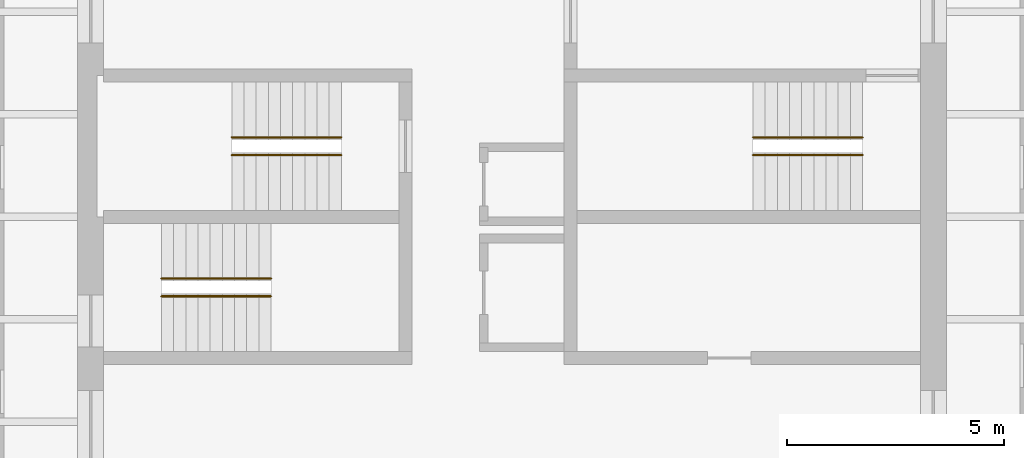
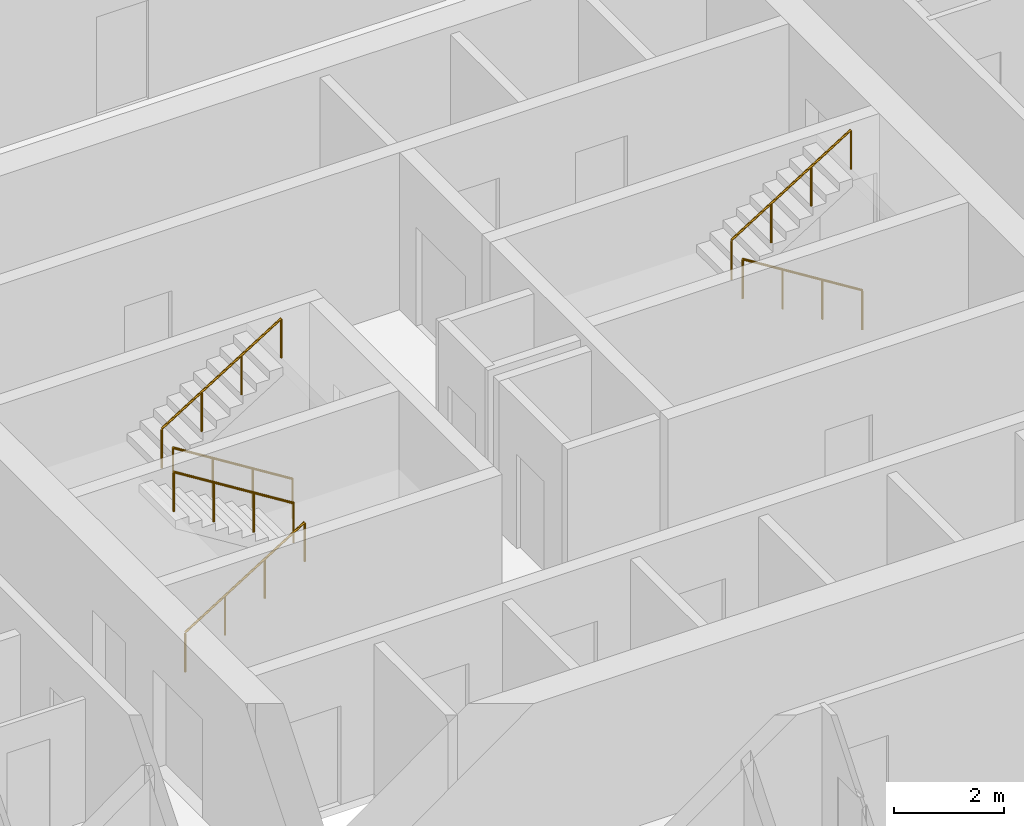
# One storey, part 8 of 8: 6 railings.
"""IFC4 building model written with IfcOpenShell, lengths in metres."""

from ifc_helpers import new_model, si_unit, direction, frame, origin, origin_2d, place, context, subcontext, project, spatial, circle, extrude, material, type_object, element, save


model = new_model("IFC4")

# Units and contexts
model_context = context("Model", 3, precision=1e-05, world=origin(), true_north=direction((0.0, 1.0)))
body_context = subcontext(model_context, "Body", "Model", "MODEL_VIEW")
ifc_project = project(units=[si_unit("LENGTHUNIT", "METRE"), si_unit("AREAUNIT", "SQUARE_METRE"), si_unit("VOLUMEUNIT", "CUBIC_METRE"), si_unit("PLANEANGLEUNIT", "RADIAN"), si_unit("MASSUNIT", "GRAM", prefix="KILO")], contexts=[model_context])

# Site, building, storey
site_placement = place(None, origin())
site = spatial("IfcSite", under=ifc_project, at=site_placement, CompositionType="ELEMENT")
building_placement = place(site_placement, origin())
building = spatial("IfcBuilding", under=site, at=building_placement, Name="Turquesa Mirador Hotel Tower", CompositionType="ELEMENT")
storey_placement = place(building_placement, frame((0.0, 0.0, 193.300048828125)))
storey = spatial("IfcBuildingStorey", under=building, at=storey_placement, Name="L52", CompositionType="ELEMENT", Elevation=193.300048828125)

# Railings
ifc_material = material(Name="Painted steel handrail", Category="steel")
railing_type = type_object("IfcRailingType", Name="HANDRAIL 900 STEEL", PredefinedType="HANDRAIL", material=ifc_material)
railing_1_placement = place(storey_placement, frame((51.070068359375, 46.419921875, 0.175048828125)))
element("IfcRailing", 1, at=railing_1_placement, inside=storey, type_object=railing_type, Name="Handrail ST1", PredefinedType="HANDRAIL", context=body_context, shape_type="SweptSolid", body=[
    extrude(circle(Radius=0.02392578125, at=origin_2d()), frame((0.0, 0.0, 0.8759765625), z_axis=(-0.848007534815, 0.0, 0.529984170421), x_axis=(0.0, -1.0, 0.0)), (0.0, 0.0, 1.0), 2.9716796875),
    extrude(circle(Radius=0.02099609375, at=origin_2d()), origin(), (0.0, 0.0, 1.0), 0.851806640625),
    extrude(circle(Radius=0.02099609375, at=origin_2d()), frame((-0.840087890625, 0.0, 0.52490234375)), (0.0, 0.0, 1.0), 0.851806640625),
    extrude(circle(Radius=0.02099609375, at=origin_2d()), frame((-1.679931640625, 0.0, 1.050048828125)), (0.0, 0.0, 1.0), 0.851806640625),
    extrude(circle(Radius=0.02099609375, at=origin_2d()), frame((-2.52001953125, 0.0, 1.574951171875)), (0.0, 0.0, 1.0), 0.851806640625),
])
for number, where, name in (
    (2, (48.550048828125, 46.830078125, 1.925048828125), "Handrail ST1"),
    (3, (46.929931640625, 43.169921875, 0.175048828125), "Handrail ST2"),
):
    element("IfcRailing", number, at=place(storey_placement, frame(where)), inside=storey, type_object=railing_type, Name=name, PredefinedType="HANDRAIL", context=body_context, shape_type="SweptSolid", body=[
        extrude(circle(Radius=0.02392578125, at=origin_2d()), frame((0.0, 0.0, 0.8759765625), z_axis=(0.848007534815, 0.0, 0.529984170421), x_axis=(0.0, 1.0, 0.0)), (0.0, 0.0, 1.0), 2.9716796875),
        extrude(circle(Radius=0.02099609375, at=origin_2d()), origin(), (0.0, 0.0, 1.0), 0.851806640625),
        extrude(circle(Radius=0.02099609375, at=origin_2d()), frame((0.840087890625, 0.0, 0.52490234375)), (0.0, 0.0, 1.0), 0.851806640625),
        extrude(circle(Radius=0.02099609375, at=origin_2d()), frame((1.679931640625, 0.0, 1.050048828125)), (0.0, 0.0, 1.0), 0.851806640625),
        extrude(circle(Radius=0.02099609375, at=origin_2d()), frame((2.52001953125, 0.0, 1.574951171875)), (0.0, 0.0, 1.0), 0.851806640625),
    ])
for number, where, name in (
    (4, (49.449951171875, 43.580078125, 1.925048828125), "Handrail ST2"),
    (5, (63.070068359375, 46.419921875, 0.175048828125), "Handrail ST3"),
):
    element("IfcRailing", number, at=place(storey_placement, frame(where)), inside=storey, type_object=railing_type, Name=name, PredefinedType="HANDRAIL", context=body_context, shape_type="SweptSolid", body=[
        extrude(circle(Radius=0.02392578125, at=origin_2d()), frame((0.0, 0.0, 0.8759765625), z_axis=(-0.848007534815, 0.0, 0.529984170421), x_axis=(0.0, -1.0, 0.0)), (0.0, 0.0, 1.0), 2.9716796875),
        extrude(circle(Radius=0.02099609375, at=origin_2d()), origin(), (0.0, 0.0, 1.0), 0.851806640625),
        extrude(circle(Radius=0.02099609375, at=origin_2d()), frame((-0.840087890625, 0.0, 0.52490234375)), (0.0, 0.0, 1.0), 0.851806640625),
        extrude(circle(Radius=0.02099609375, at=origin_2d()), frame((-1.679931640625, 0.0, 1.050048828125)), (0.0, 0.0, 1.0), 0.851806640625),
        extrude(circle(Radius=0.02099609375, at=origin_2d()), frame((-2.52001953125, 0.0, 1.574951171875)), (0.0, 0.0, 1.0), 0.851806640625),
    ])
railing_2_placement = place(storey_placement, frame((60.550048828125, 46.830078125, 1.925048828125)))
element("IfcRailing", 6, at=railing_2_placement, inside=storey, type_object=railing_type, Name="Handrail ST3", PredefinedType="HANDRAIL", context=body_context, shape_type="SweptSolid", body=[
    extrude(circle(Radius=0.02392578125, at=origin_2d()), frame((0.0, 0.0, 0.8759765625), z_axis=(0.848007534815, 0.0, 0.529984170421), x_axis=(0.0, 1.0, 0.0)), (0.0, 0.0, 1.0), 2.9716796875),
    extrude(circle(Radius=0.02099609375, at=origin_2d()), origin(), (0.0, 0.0, 1.0), 0.851806640625),
    extrude(circle(Radius=0.02099609375, at=origin_2d()), frame((0.840087890625, 0.0, 0.52490234375)), (0.0, 0.0, 1.0), 0.851806640625),
    extrude(circle(Radius=0.02099609375, at=origin_2d()), frame((1.679931640625, 0.0, 1.050048828125)), (0.0, 0.0, 1.0), 0.851806640625),
    extrude(circle(Radius=0.02099609375, at=origin_2d()), frame((2.52001953125, 0.0, 1.574951171875)), (0.0, 0.0, 1.0), 0.851806640625),
])

save(model, "model.ifc")
